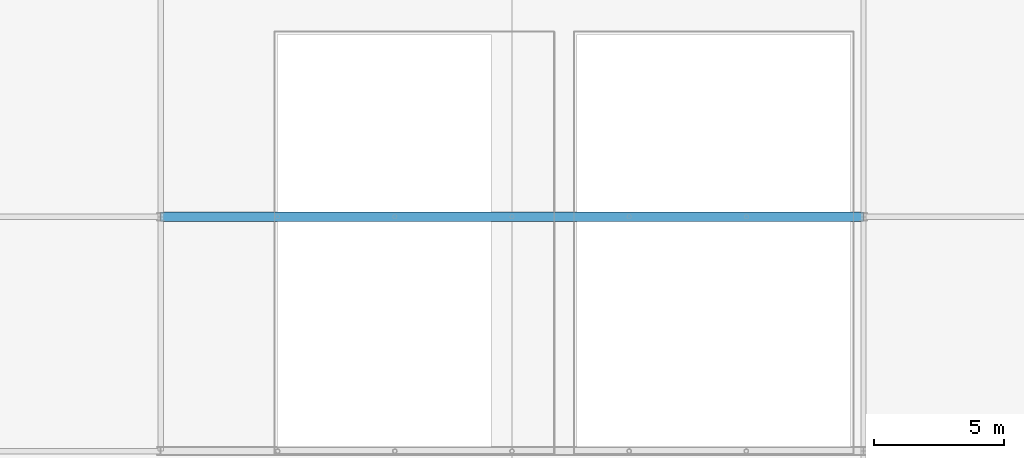
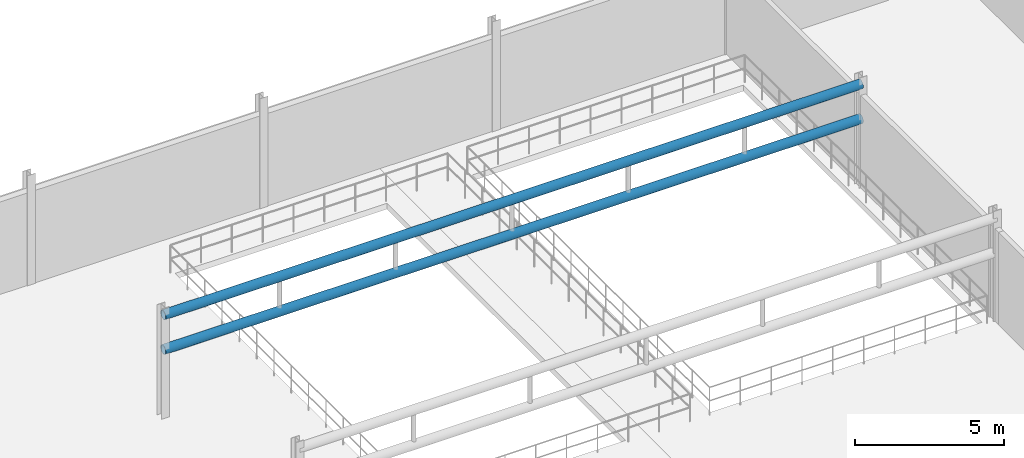
# One storey, part 64 of 140: 2 members.
"""IFC4 building model written with IfcOpenShell, lengths in metres."""

from ifc_helpers import new_model, si_unit, direction, frame, origin, origin_2d, place, context, subcontext, project, spatial, hollow_circle, extrude, material, material_profile, profile_set, type_object, element, save


model = new_model("IFC4")

# Units and contexts
model_context = context("Model", 3, precision=1e-05, world=origin(), true_north=direction((0.0, 1.0)))
body_context = subcontext(model_context, "Body", "Model", "MODEL_VIEW")
ifc_project = project(units=[si_unit("LENGTHUNIT", "METRE"), si_unit("AREAUNIT", "SQUARE_METRE"), si_unit("VOLUMEUNIT", "CUBIC_METRE"), si_unit("PLANEANGLEUNIT", "RADIAN"), si_unit("MASSUNIT", "GRAM", prefix="KILO"), si_unit("THERMODYNAMICTEMPERATUREUNIT", "KELVIN"), si_unit("POWERUNIT", "WATT")], contexts=[model_context])

# Site, building, storey
site_placement = place(None, origin())
site = spatial("IfcSite", under=ifc_project, at=site_placement, CompositionType="ELEMENT")
building_placement = place(site_placement, origin())
building = spatial("IfcBuilding", under=site, at=building_placement, Name="Tallowbark Science Centre", CompositionType="ELEMENT")
storey_placement = place(building_placement, frame((0.0, 0.0, 9.89990234375)))
storey = spatial("IfcBuildingStorey", under=building, at=storey_placement, Name="L02", CompositionType="ELEMENT", Elevation=9.89990234375)

# Members
ifc_material = material(Name="White Architectural Painted Steel Grade C350L0 (350 MPa)", Category="steel")
ifc_material_profile = material_profile(ifc_material, hollow_circle(Radius=0.177734375, WallThickness=0.0126953125, at=origin_2d()), Name="355.6x12.7CHS")
ifc_profile_set = profile_set([ifc_material_profile], Name="White Architectural Painted Steel Grade C350L0 (350 MPa)")
member_type = type_object("IfcMemberType", Name="TR-CHD355", PredefinedType="CHORD", material=ifc_profile_set)
for number, where, z_axis, x_axis, name in (
    (1, (121.5, 27.0, 4.1201171875), (1.0, 0.0, 0.0), (0.0, 1.0, 0.0), "Theatre Long-Span Truss Top Chord 2"),
    (2, (121.5, 27.0, 2.7001953125), (1.0, 0.0, 0.0), (0.0, 1.0, 0.0), "Theatre Long-Span Truss Bottom Chord 2"),
):
    element("IfcMember", number, at=place(storey_placement, frame(where, z_axis=z_axis, x_axis=x_axis)), inside=storey, type_object=member_type, Name=name, PredefinedType="CHORD", context=body_context, shape_type="SweptSolid", body=[
        extrude(hollow_circle(Radius=0.177734375, WallThickness=0.0126953125, at=origin_2d()), origin(), (0.0, 0.0, 1.0), 27.0),
    ])

save(model, "model.ifc")
